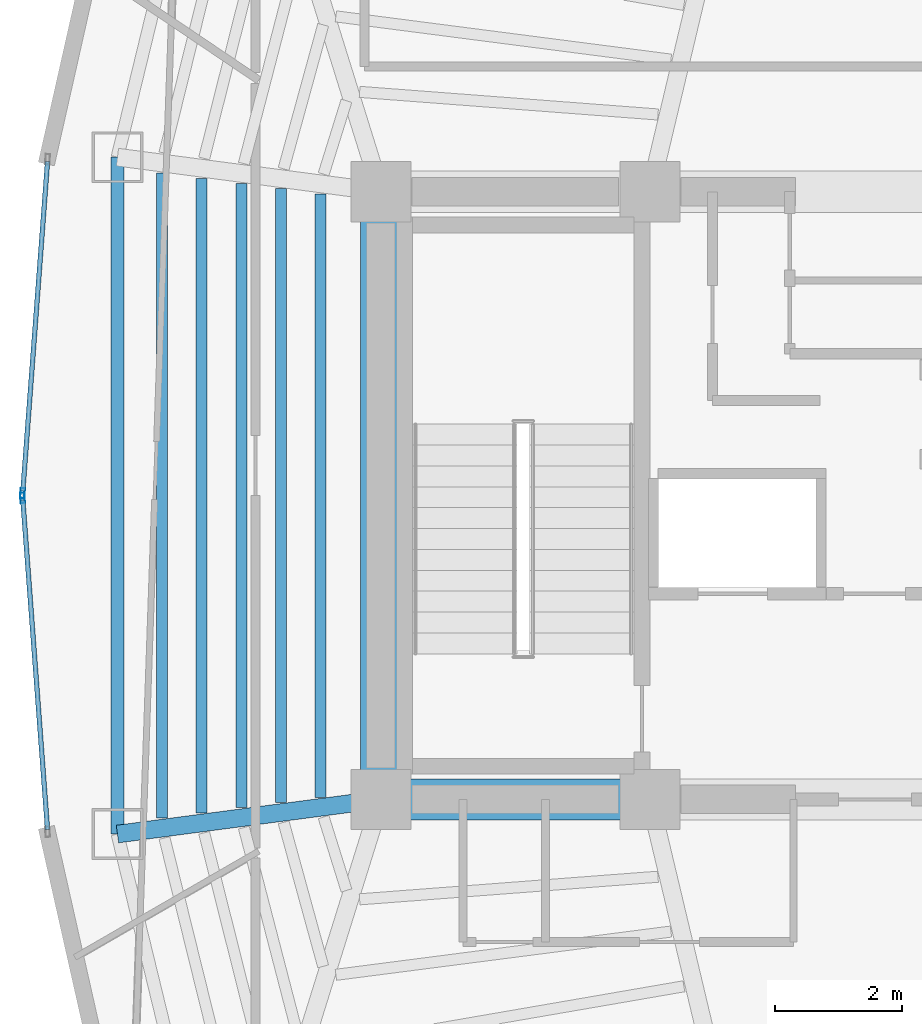
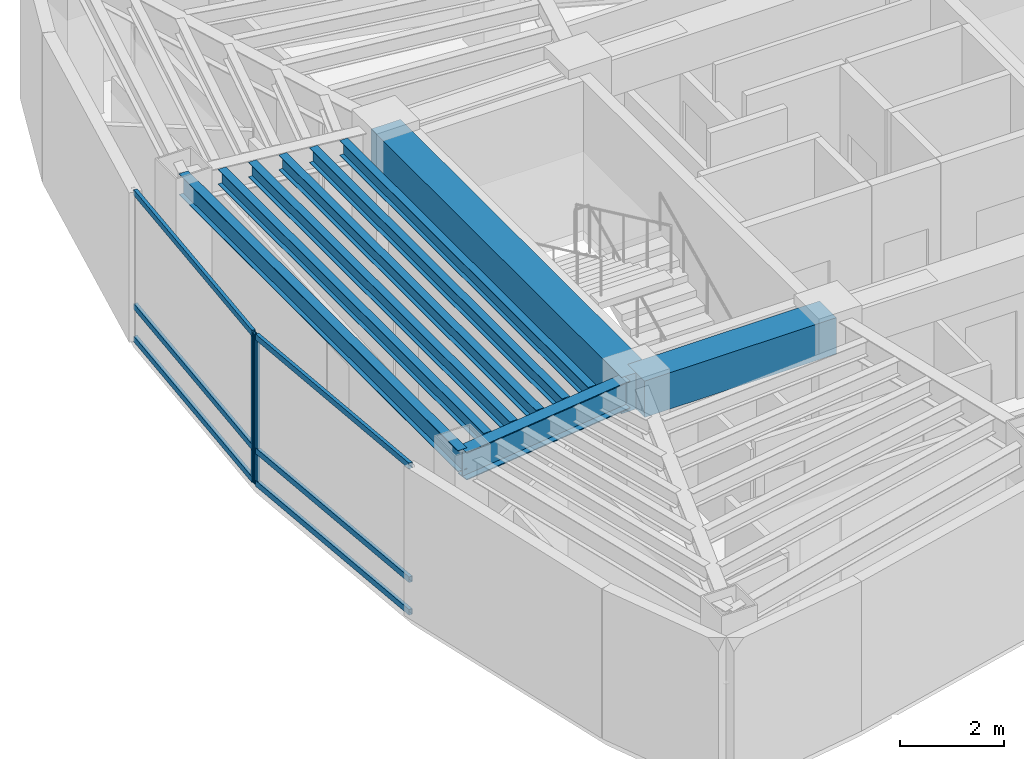
# One storey, part 4 of 16: 9 beams, 8 members, 2 elements without a shape of their own.
"""IFC4 building model written with IfcOpenShell, lengths in metres."""

from ifc_helpers import new_model, si_unit, direction, frame, origin, origin_2d, place, context, subcontext, project, spatial, rectangle, hollow_rectangle, i_section, extrude, material, layer, layer_set, material_profile, profile_set, type_object, element, aggregate, save


model = new_model("IFC4")

# Units and contexts
model_context = context("Model", 3, precision=1e-05, world=origin(), true_north=direction((0.0, 1.0)))
body_context = subcontext(model_context, "Body", "Model", "MODEL_VIEW")
ifc_project = project(units=[si_unit("LENGTHUNIT", "METRE"), si_unit("AREAUNIT", "SQUARE_METRE"), si_unit("VOLUMEUNIT", "CUBIC_METRE"), si_unit("PLANEANGLEUNIT", "RADIAN"), si_unit("MASSUNIT", "GRAM", prefix="KILO")], contexts=[model_context])

# Site, building, storey
site_placement = place(None, origin())
site = spatial("IfcSite", under=ifc_project, at=site_placement, CompositionType="ELEMENT")
building_placement = place(site_placement, origin())
building = spatial("IfcBuilding", under=site, at=building_placement, Name="Menara Vayukalpa", CompositionType="ELEMENT")
storey_placement = place(building_placement, frame((0.0, 0.0, 280.6201171875)))
storey = spatial("IfcBuildingStorey", under=building, at=storey_placement, Name="L71", CompositionType="ELEMENT", Elevation=280.6201171875)

# Beams
ifc_material_1 = material(Name="Concrete C60/75", Category="concrete")
ifc_material_profile_1 = material_profile(ifc_material_1, rectangle(XDim=0.64990234375, YDim=0.85009765625, at=origin_2d()), Name="RC 650x850")
ifc_profile_set_1 = profile_set([ifc_material_profile_1], Name="Concrete C60/75")
beam_type_1 = type_object("IfcBeamType", Name="BM-CB1", PredefinedType="BEAM", material=ifc_profile_set_1)
beam_1_placement = place(storey_placement, frame((17.800048828125, 17.199951171875, 3.074951171875), z_axis=(1.0, 0.0, 0.0), x_axis=(0.0, 1.0, 0.0)))
element("IfcBeam", 1, at=beam_1_placement, inside=storey, type_object=beam_type_1, Name="L71 Core Tie Beam CBR1", PredefinedType="BEAM", context=body_context, shape_type="SweptSolid", body=[
    extrude(rectangle(XDim=0.64990234375, YDim=0.85009765625, at=origin_2d()), origin(), (0.0, 0.0, 1.0), 4.25),
])
beam_2_placement = place(storey_placement, frame((17.800048828125, 17.199951171875, 3.074951171875), z_axis=(0.0, 1.0, 0.0), x_axis=(-1.0, 0.0, 0.0)))
element("IfcBeam", 2, at=beam_2_placement, inside=storey, type_object=beam_type_1, Name="L71 Core Tie Beam CBR7", PredefinedType="BEAM", context=body_context, shape_type="SweptSolid", body=[
    extrude(rectangle(XDim=0.64990234375, YDim=0.85009765625, at=origin_2d()), origin(), (0.0, 0.0, 1.0), 9.60009765625),
])
ifc_material_2 = material(Name="Steel S355", Category="steel")
ifc_material_profile_2 = material_profile(ifc_material_2, i_section(OverallWidth=0.280029296875, OverallDepth=0.64990234375, WebThickness=0.012939453125, FlangeThickness=0.02197265625, at=origin_2d()), Name="WF 650x280x13x22")
ifc_profile_set_2 = profile_set([ifc_material_profile_2], Name="Steel S355")
beam_type_2 = type_object("IfcBeamType", Name="BM-PG6", PredefinedType="BEAM", material=ifc_profile_set_2)
beam_3_placement = place(storey_placement, frame((17.552001953125, 17.16748046875, 3.1748046875), z_axis=(-0.991477860763, -0.130275291662, 0.0), x_axis=(0.130275291662, -0.991477860763, 0.0)))
element("IfcBeam", 3, at=beam_3_placement, inside=storey, type_object=beam_type_2, Name="L71 Primary Radial Girder RG06", PredefinedType="BEAM", context=body_context, shape_type="SweptSolid", body=[
    extrude(i_section(OverallWidth=0.280029296875, OverallDepth=0.64990234375, WebThickness=0.012939453125, FlangeThickness=0.02197265625, at=origin_2d()), origin(), (0.0, 0.0, 1.0), 3.94677734375),
])
ifc_material_3 = material(Name="Steel S355", Category="steel")
ifc_material_profile_3 = material_profile(ifc_material_3, i_section(OverallWidth=0.175048828125, OverallDepth=0.35009765625, WebThickness=0.007080078125, FlangeThickness=0.010986328125, at=origin_2d()), Name="WF 350x175x7x11")
ifc_profile_set_3 = profile_set([ifc_material_profile_3], Name="Steel S355")
beam_type_3 = type_object("IfcBeamType", Name="BM-SJ3", PredefinedType="JOIST", material=ifc_profile_set_3)
beam_4_placement = place(storey_placement, frame((16.84765625, 26.76513671875, 3.324951171875), z_axis=(0.0, -1.0, 0.0), x_axis=(1.0, 0.0, 0.0)))
element("IfcBeam", 4, at=beam_4_placement, inside=storey, type_object=beam_type_3, Name="L71 Secondary Floor Joist SJ05-1", PredefinedType="JOIST", context=body_context, shape_type="SweptSolid", body=[
    extrude(i_section(OverallWidth=0.175048828125, OverallDepth=0.35009765625, WebThickness=0.007080078125, FlangeThickness=0.010986328125, at=origin_2d()), origin(), (0.0, 0.0, 1.0), 9.5302734375),
])
beam_5_placement = place(storey_placement, frame((16.2216796875, 26.847412109375, 3.324951171875), z_axis=(0.0, -1.0, 0.0), x_axis=(1.0, 0.0, 0.0)))
element("IfcBeam", 5, at=beam_5_placement, inside=storey, type_object=beam_type_3, Name="L71 Secondary Floor Joist SJ05-2", PredefinedType="JOIST", context=body_context, shape_type="SweptSolid", body=[
    extrude(i_section(OverallWidth=0.175048828125, OverallDepth=0.35009765625, WebThickness=0.007080078125, FlangeThickness=0.010986328125, at=origin_2d()), origin(), (0.0, 0.0, 1.0), 9.69482421875),
])
beam_6_placement = place(storey_placement, frame((15.595458984375, 26.9296875, 3.324951171875), z_axis=(0.0, -1.0, 0.0), x_axis=(1.0, 0.0, 0.0)))
element("IfcBeam", 6, at=beam_6_placement, inside=storey, type_object=beam_type_3, Name="L71 Secondary Floor Joist SJ05-3", PredefinedType="JOIST", context=body_context, shape_type="SweptSolid", body=[
    extrude(i_section(OverallWidth=0.175048828125, OverallDepth=0.35009765625, WebThickness=0.007080078125, FlangeThickness=0.010986328125, at=origin_2d()), origin(), (0.0, 0.0, 1.0), 9.859375),
])
beam_7_placement = place(storey_placement, frame((14.969482421875, 27.011962890625, 3.324951171875), z_axis=(0.0, -1.0, 0.0), x_axis=(1.0, 0.0, 0.0)))
element("IfcBeam", 7, at=beam_7_placement, inside=storey, type_object=beam_type_3, Name="L71 Secondary Floor Joist SJ05-4", PredefinedType="JOIST", context=body_context, shape_type="SweptSolid", body=[
    extrude(i_section(OverallWidth=0.175048828125, OverallDepth=0.35009765625, WebThickness=0.007080078125, FlangeThickness=0.010986328125, at=origin_2d()), origin(), (0.0, 0.0, 1.0), 10.02392578125),
])
beam_8_placement = place(storey_placement, frame((14.343505859375, 27.09423828125, 3.324951171875), z_axis=(0.0, -1.0, 0.0), x_axis=(1.0, 0.0, 0.0)))
element("IfcBeam", 8, at=beam_8_placement, inside=storey, type_object=beam_type_3, Name="L71 Secondary Floor Joist SJ05-5", PredefinedType="JOIST", context=body_context, shape_type="SweptSolid", body=[
    extrude(i_section(OverallWidth=0.175048828125, OverallDepth=0.35009765625, WebThickness=0.007080078125, FlangeThickness=0.010986328125, at=origin_2d()), origin(), (0.0, 0.0, 1.0), 10.1884765625),
])
ifc_material_4 = material(Name="Steel S355", Category="steel")
ifc_material_profile_4 = material_profile(ifc_material_4, i_section(OverallWidth=0.199951171875, OverallDepth=0.5, WebThickness=0.010009765625, FlangeThickness=0.01611328125, at=origin_2d()), Name="WF 500x200x10x16")
ifc_profile_set_4 = profile_set([ifc_material_profile_4], Name="Steel S355")
beam_type_4 = type_object("IfcBeamType", Name="BM-SP3", PredefinedType="SPANDREL", material=ifc_profile_set_4)
beam_9_placement = place(storey_placement, frame((13.638916015625, 27.3466796875, 3.25), z_axis=(0.0, -1.0, 0.0), x_axis=(1.0, 0.0, 0.0)))
element("IfcBeam", 9, at=beam_9_placement, inside=storey, type_object=beam_type_4, Name="L71 Perimeter Spandrel Beam SP05", PredefinedType="SPANDREL", context=body_context, shape_type="SweptSolid", body=[
    extrude(i_section(OverallWidth=0.199951171875, OverallDepth=0.5, WebThickness=0.010009765625, FlangeThickness=0.01611328125, at=origin_2d()), origin(), (0.0, 0.0, 1.0), 10.693359375),
])

# Curtain wall, member
ifc_material_5 = material(Name="Anodised Terracotta Aluminium Alloy 6063-T6", Category="masonry")
ifc_layer = layer(ifc_material_5, 0.1650390625)
ifc_layer_set = layer_set([ifc_layer], Name="Anodised Terracotta Aluminium Alloy 6063-T6")
curtain_wall_type = type_object("IfcCurtainWallType", Name="CW-CW6", PredefinedType="USERDEFINED", material=ifc_layer_set)
curtain_wall_1_placement = place(storey_placement, origin())
curtain_wall_1 = element("IfcCurtainWall", 10, at=curtain_wall_1_placement, inside=storey, type_object=curtain_wall_type, Name="L71 Observation and Executive Curtain Wall CW6 10", ObjectType="UNITISED", PredefinedType="USERDEFINED")
ifc_material_6 = material(Name="Anodised Terracotta Aluminium Alloy 6063-T6", Category="masonry")
ifc_material_profile_5 = material_profile(ifc_material_6, hollow_rectangle(XDim=0.070068359375, YDim=0.1650390625, WallThickness=0.00390625, at=origin_2d()), Name="ALU 70x165x4")
ifc_profile_set_5 = profile_set([ifc_material_profile_5], Name="Anodised Terracotta Aluminium Alloy 6063-T6")
member_type_1 = type_object("IfcMemberType", Name="CWM-CW6", PredefinedType="MULLION", material=ifc_profile_set_5)
member_1_placement = place(storey_placement, frame((12.140625, 22.034912109375, 0.0), z_axis=(0.0, 0.0, 1.0), x_axis=(0.997199344663, -0.074789484574, 0.0)))
member_1 = element("IfcMember", 11, at=member_1_placement, type_object=member_type_1, Name="CW6 mullion 2", PredefinedType="MULLION", context=body_context, shape_type="SweptSolid", body=[
    extrude(hollow_rectangle(XDim=0.070068359375, YDim=0.1650390625, WallThickness=0.00390625, at=origin_2d()), origin(), (0.0, 0.0, 1.0), 3.5),
])

curtain_wall_2_placement = place(storey_placement, origin())
curtain_wall_2 = element("IfcCurtainWall", 12, at=curtain_wall_2_placement, inside=storey, type_object=curtain_wall_type, Name="L71 Observation and Executive Curtain Wall CW6 11", ObjectType="UNITISED", PredefinedType="USERDEFINED")
member_2_placement = place(storey_placement, frame((12.140625, 21.965087890625, 0.0), z_axis=(0.0, 0.0, 1.0), x_axis=(0.997199344663, 0.074789484574, 0.0)))
member_2 = element("IfcMember", 13, at=member_2_placement, type_object=member_type_1, Name="CW6 mullion 1", PredefinedType="MULLION", context=body_context, shape_type="SweptSolid", body=[
    extrude(hollow_rectangle(XDim=0.070068359375, YDim=0.1650390625, WallThickness=0.00390625, at=origin_2d()), origin(), (0.0, 0.0, 1.0), 3.5),
])

# Member
ifc_material_7 = material(Name="Anodised Terracotta Aluminium Alloy 6063-T6", Category="masonry")
ifc_material_profile_6 = material_profile(ifc_material_7, hollow_rectangle(XDim=0.074951171875, YDim=0.135009765625, WallThickness=0.00390625, at=origin_2d()), Name="ALU 75x135x4")
ifc_profile_set_6 = profile_set([ifc_material_profile_6], Name="Anodised Terracotta Aluminium Alloy 6063-T6")
member_type_2 = type_object("IfcMemberType", Name="CWT-CW6", PredefinedType="USERDEFINED", material=ifc_profile_set_6)
member_3_placement = place(storey_placement, frame((12.53369140625, 27.27685546875, 0.037353515625), z_axis=(-0.074762051827, -0.997201401727, 0.0), x_axis=(0.997201401727, -0.074762051827, 0.0)))
member_3 = element("IfcMember", 14, at=member_3_placement, type_object=member_type_2, Name="CW6 transom 1.1", ObjectType="TRANSOM", PredefinedType="USERDEFINED", context=body_context, shape_type="SweptSolid", body=[
    extrude(hollow_rectangle(XDim=0.074951171875, YDim=0.135009765625, WallThickness=0.00390625, at=origin_2d()), origin(), (0.0, 0.0, 1.0), 5.2216796875),
])

member_4_placement = place(storey_placement, frame((12.53369140625, 27.27685546875, 0.7998046875), z_axis=(-0.074762051827, -0.997201401727, 0.0), x_axis=(0.997201401727, -0.074762051827, 0.0)))
member_4 = element("IfcMember", 15, at=member_4_placement, type_object=member_type_2, Name="CW6 transom 1.2", ObjectType="TRANSOM", PredefinedType="USERDEFINED", context=body_context, shape_type="SweptSolid", body=[
    extrude(hollow_rectangle(XDim=0.074951171875, YDim=0.135009765625, WallThickness=0.00390625, at=origin_2d()), origin(), (0.0, 0.0, 1.0), 5.2216796875),
])

member_5_placement = place(storey_placement, frame((12.53369140625, 27.27685546875, 3.46240234375), z_axis=(-0.074762051827, -0.997201401727, 0.0), x_axis=(0.997201401727, -0.074762051827, 0.0)))
member_5 = element("IfcMember", 16, at=member_5_placement, type_object=member_type_2, Name="CW6 transom 1.3", ObjectType="TRANSOM", PredefinedType="USERDEFINED", context=body_context, shape_type="SweptSolid", body=[
    extrude(hollow_rectangle(XDim=0.074951171875, YDim=0.135009765625, WallThickness=0.00390625, at=origin_2d()), origin(), (0.0, 0.0, 1.0), 5.2216796875),
])

aggregate(curtain_wall_1, [member_1, member_3, member_4, member_5])

member_6_placement = place(storey_placement, frame((12.143310546875, 21.93017578125, 0.037353515625), z_axis=(0.074762051827, -0.997201401727, 0.0), x_axis=(0.997201401727, 0.074762051827, 0.0)))
member_6 = element("IfcMember", 17, at=member_6_placement, type_object=member_type_2, Name="CW6 transom 1.1", ObjectType="TRANSOM", PredefinedType="USERDEFINED", context=body_context, shape_type="SweptSolid", body=[
    extrude(hollow_rectangle(XDim=0.074951171875, YDim=0.135009765625, WallThickness=0.00390625, at=origin_2d()), origin(), (0.0, 0.0, 1.0), 5.2216796875),
])

member_7_placement = place(storey_placement, frame((12.143310546875, 21.93017578125, 0.7998046875), z_axis=(0.074762051827, -0.997201401727, 0.0), x_axis=(0.997201401727, 0.074762051827, 0.0)))
member_7 = element("IfcMember", 18, at=member_7_placement, type_object=member_type_2, Name="CW6 transom 1.2", ObjectType="TRANSOM", PredefinedType="USERDEFINED", context=body_context, shape_type="SweptSolid", body=[
    extrude(hollow_rectangle(XDim=0.074951171875, YDim=0.135009765625, WallThickness=0.00390625, at=origin_2d()), origin(), (0.0, 0.0, 1.0), 5.2216796875),
])

member_8_placement = place(storey_placement, frame((12.143310546875, 21.93017578125, 3.46240234375), z_axis=(0.074762051827, -0.997201401727, 0.0), x_axis=(0.997201401727, 0.074762051827, 0.0)))
member_8 = element("IfcMember", 19, at=member_8_placement, type_object=member_type_2, Name="CW6 transom 1.3", ObjectType="TRANSOM", PredefinedType="USERDEFINED", context=body_context, shape_type="SweptSolid", body=[
    extrude(hollow_rectangle(XDim=0.074951171875, YDim=0.135009765625, WallThickness=0.00390625, at=origin_2d()), origin(), (0.0, 0.0, 1.0), 5.2216796875),
])

aggregate(curtain_wall_2, [member_2, member_6, member_7, member_8])

save(model, "model.ifc")
